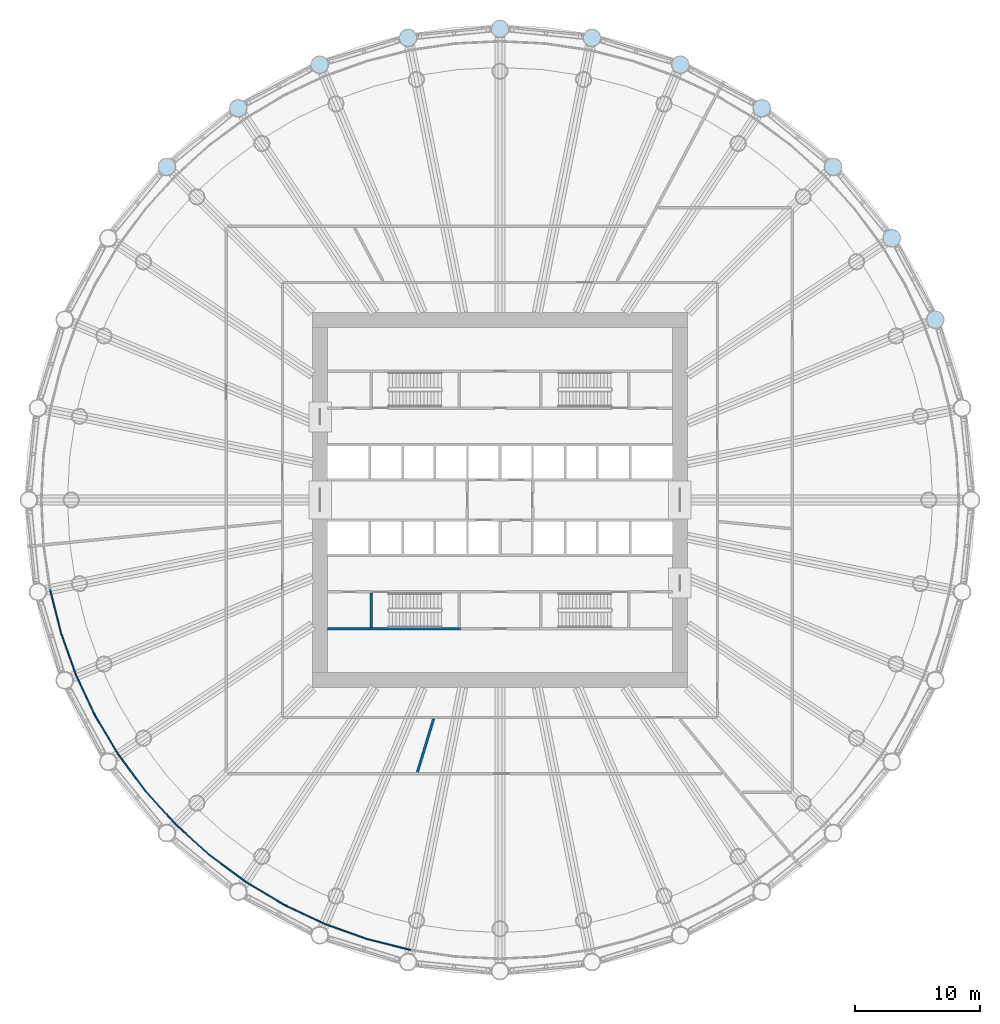
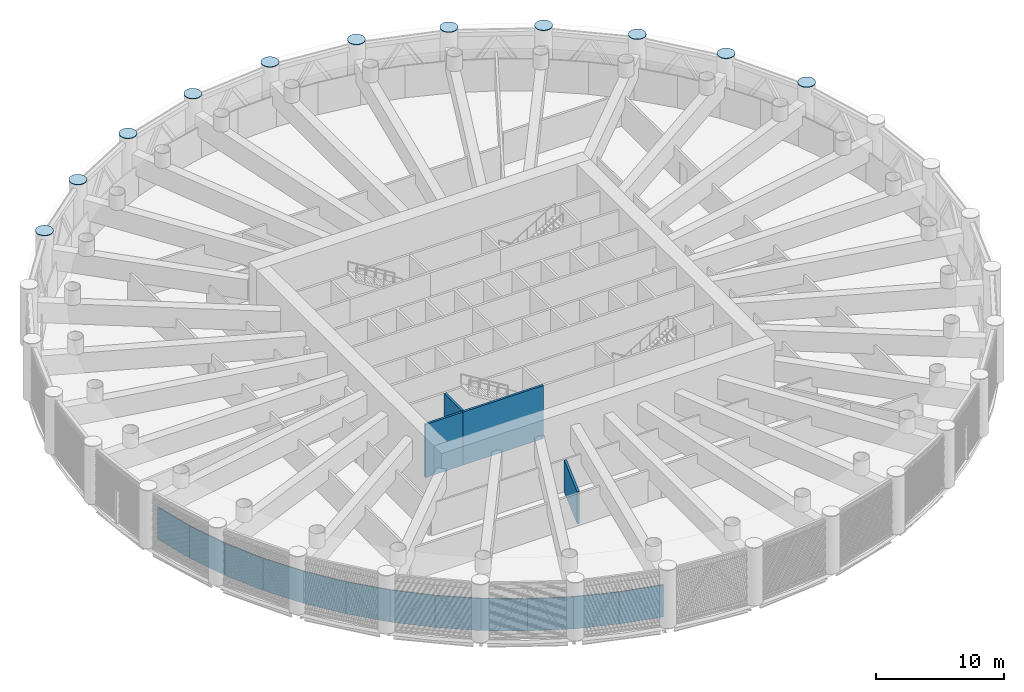
# One storey, part 7 of 26: 16 walls, 11 plates.
"""IFC4 building model written with IfcOpenShell, lengths in metres."""

from ifc_helpers import new_model, si_unit, direction, frame, frame_2d, origin, place, context, subcontext, project, spatial, polyline, rectangle, outline, extrude, material, layer, layer_set, type_object, element, save


model = new_model("IFC4")

# Units and contexts
model_context = context("Model", 3, precision=1e-05, world=origin(), true_north=direction((0.0, 1.0)))
body_context = subcontext(model_context, "Body", "Model", "MODEL_VIEW")
ifc_project = project(units=[si_unit("LENGTHUNIT", "METRE"), si_unit("AREAUNIT", "SQUARE_METRE"), si_unit("VOLUMEUNIT", "CUBIC_METRE"), si_unit("PLANEANGLEUNIT", "RADIAN"), si_unit("MASSUNIT", "GRAM", prefix="KILO")], contexts=[model_context])

# Site, building, storey
site_placement = place(None, origin())
site = spatial("IfcSite", under=ifc_project, at=site_placement, CompositionType="ELEMENT")
building_placement = place(site_placement, origin())
building = spatial("IfcBuilding", under=site, at=building_placement, Name="Corvane Civic Tower", CompositionType="ELEMENT")
storey_placement = place(building_placement, frame((0.0, 0.0, 85.0)))
storey = spatial("IfcBuildingStorey", under=building, at=storey_placement, Name="L19", CompositionType="ELEMENT", Elevation=85.0)

# Plates
ifc_material_1 = material(Name="Steel ASTM A572 Gr 50", Category="steel")
ifc_layer_1 = layer(ifc_material_1, 0.054931640625)
ifc_layer_set_1 = layer_set([ifc_layer_1], Name="Steel ASTM A572 Gr 50")
plate_type = type_object("IfcPlateType", Name="COLUMN CAP PLATE 55", PredefinedType="SHEET", material=ifc_layer_set_1)
plate_1_placement = place(storey_placement, frame((0.0, 0.0, 5.5)))
element("IfcPlate", 1, at=plate_1_placement, inside=storey, type_object=plate_type, Name="PL-L19-cap-A01", PredefinedType="SHEET", context=body_context, shape_type="SweptSolid", body=[
    extrude(outline(polyline([(0.699951171875, 37.699951171875), (0.694091796875, 37.791259765625), (0.676025390625, 37.881103515625), (0.646728515625, 37.9677734375), (0.606201171875, 38.050048828125), (0.555419921875, 38.126220703125), (0.4951171875, 38.19482421875), (0.426025390625, 38.25537109375), (0.35009765625, 38.30615234375), (0.267822265625, 38.3466796875), (0.18115234375, 38.376220703125), (0.09130859375, 38.39404296875), (0.0, 38.39990234375), (-0.09130859375, 38.39404296875), (-0.18115234375, 38.376220703125), (-0.267822265625, 38.3466796875), (-0.35009765625, 38.30615234375), (-0.426025390625, 38.25537109375), (-0.4951171875, 38.19482421875), (-0.555419921875, 38.126220703125), (-0.606201171875, 38.050048828125), (-0.646728515625, 37.9677734375), (-0.676025390625, 37.881103515625), (-0.694091796875, 37.791259765625), (-0.699951171875, 37.699951171875), (-0.694091796875, 37.608642578125), (-0.676025390625, 37.518798828125), (-0.646728515625, 37.43212890625), (-0.606201171875, 37.35009765625), (-0.555419921875, 37.273681640625), (-0.4951171875, 37.205078125), (-0.426025390625, 37.14453125), (-0.35009765625, 37.09375), (-0.267822265625, 37.05322265625), (-0.18115234375, 37.023681640625), (-0.09130859375, 37.005859375), (0.0, 37.0), (0.09130859375, 37.005859375), (0.18115234375, 37.023681640625), (0.267822265625, 37.05322265625), (0.35009765625, 37.09375), (0.426025390625, 37.14453125), (0.4951171875, 37.205078125), (0.555419921875, 37.273681640625), (0.606201171875, 37.35009765625), (0.646728515625, 37.43212890625), (0.676025390625, 37.518798828125), (0.694091796875, 37.608642578125), (0.699951171875, 37.699951171875)])), origin(), (0.0, 0.0, 1.0), 0.054931640625),
])
plate_2_placement = place(storey_placement, frame((0.0, 0.0, 5.5)))
element("IfcPlate", 2, at=plate_2_placement, inside=storey, type_object=plate_type, Name="PL-L19-cap-A02", PredefinedType="SHEET", context=body_context, shape_type="SweptSolid", body=[
    extrude(outline(polyline([(8.054931640625, 36.9755859375), (8.049072265625, 37.06689453125), (8.031005859375, 37.15673828125), (8.001708984375, 37.243408203125), (7.961181640625, 37.32568359375), (7.910400390625, 37.401611328125), (7.85009765625, 37.470703125), (7.781005859375, 37.531005859375), (7.705078125, 37.581787109375), (7.622802734375, 37.622314453125), (7.5361328125, 37.651611328125), (7.4462890625, 37.669677734375), (7.35498046875, 37.675537109375), (7.263671875, 37.669677734375), (7.173828125, 37.651611328125), (7.087158203125, 37.622314453125), (7.0048828125, 37.581787109375), (6.9287109375, 37.531005859375), (6.860107421875, 37.470703125), (6.799560546875, 37.401611328125), (6.748779296875, 37.32568359375), (6.708251953125, 37.243408203125), (6.6787109375, 37.15673828125), (6.660888671875, 37.06689453125), (6.655029296875, 36.9755859375), (6.660888671875, 36.88427734375), (6.6787109375, 36.79443359375), (6.708251953125, 36.707763671875), (6.748779296875, 36.62548828125), (6.799560546875, 36.549560546875), (6.860107421875, 36.480712890625), (6.9287109375, 36.420166015625), (7.0048828125, 36.369384765625), (7.087158203125, 36.328857421875), (7.173828125, 36.29931640625), (7.263671875, 36.281494140625), (7.35498046875, 36.275634765625), (7.4462890625, 36.281494140625), (7.5361328125, 36.29931640625), (7.622802734375, 36.328857421875), (7.705078125, 36.369384765625), (7.781005859375, 36.420166015625), (7.85009765625, 36.480712890625), (7.910400390625, 36.549560546875), (7.961181640625, 36.62548828125), (8.001708984375, 36.707763671875), (8.031005859375, 36.79443359375), (8.049072265625, 36.88427734375), (8.054931640625, 36.9755859375)])), origin(), (0.0, 0.0, 1.0), 0.054931640625),
])
plate_3_placement = place(storey_placement, frame((0.0, 0.0, 5.5)))
element("IfcPlate", 3, at=plate_3_placement, inside=storey, type_object=plate_type, Name="PL-L19-cap-A03", PredefinedType="SHEET", context=body_context, shape_type="SweptSolid", body=[
    extrude(outline(polyline([(15.127197265625, 34.830322265625), (15.121337890625, 34.921630859375), (15.103515625, 35.011474609375), (15.073974609375, 35.09814453125), (15.033447265625, 35.180419921875), (14.982666015625, 35.256591796875), (14.922119140625, 35.3251953125), (14.853515625, 35.3857421875), (14.777099609375, 35.4365234375), (14.695068359375, 35.47705078125), (14.6083984375, 35.506591796875), (14.5185546875, 35.5244140625), (14.42724609375, 35.5302734375), (14.3359375, 35.5244140625), (14.24609375, 35.506591796875), (14.159423828125, 35.47705078125), (14.0771484375, 35.4365234375), (14.001220703125, 35.3857421875), (13.932373046875, 35.3251953125), (13.871826171875, 35.256591796875), (13.821044921875, 35.180419921875), (13.780517578125, 35.09814453125), (13.751220703125, 35.011474609375), (13.733154296875, 34.921630859375), (13.727294921875, 34.830322265625), (13.733154296875, 34.739013671875), (13.751220703125, 34.649169921875), (13.780517578125, 34.5625), (13.821044921875, 34.480224609375), (13.871826171875, 34.404296875), (13.932373046875, 34.335205078125), (14.001220703125, 34.27490234375), (14.0771484375, 34.22412109375), (14.159423828125, 34.18359375), (14.24609375, 34.154296875), (14.3359375, 34.13623046875), (14.42724609375, 34.13037109375), (14.5185546875, 34.13623046875), (14.6083984375, 34.154296875), (14.695068359375, 34.18359375), (14.777099609375, 34.22412109375), (14.853515625, 34.27490234375), (14.922119140625, 34.335205078125), (14.982666015625, 34.404296875), (15.033447265625, 34.480224609375), (15.073974609375, 34.5625), (15.103515625, 34.649169921875), (15.121337890625, 34.739013671875), (15.127197265625, 34.830322265625)])), origin(), (0.0, 0.0, 1.0), 0.054931640625),
])
plate_4_placement = place(storey_placement, frame((0.0, 0.0, 5.5)))
element("IfcPlate", 4, at=plate_4_placement, inside=storey, type_object=plate_type, Name="PL-L19-cap-A04", PredefinedType="SHEET", context=body_context, shape_type="SweptSolid", body=[
    extrude(outline(polyline([(21.64501953125, 31.346435546875), (21.63916015625, 31.437744140625), (21.62109375, 31.527587890625), (21.591796875, 31.6142578125), (21.55126953125, 31.6962890625), (21.50048828125, 31.772705078125), (21.43994140625, 31.84130859375), (21.37109375, 31.90185546875), (21.295166015625, 31.95263671875), (21.212890625, 31.9931640625), (21.126220703125, 32.022705078125), (21.036376953125, 32.040283203125), (20.945068359375, 32.04638671875), (20.853759765625, 32.040283203125), (20.763916015625, 32.022705078125), (20.67724609375, 31.9931640625), (20.59521484375, 31.95263671875), (20.518798828125, 31.90185546875), (20.4501953125, 31.84130859375), (20.3896484375, 31.772705078125), (20.3388671875, 31.6962890625), (20.29833984375, 31.6142578125), (20.268798828125, 31.527587890625), (20.251220703125, 31.437744140625), (20.2451171875, 31.346435546875), (20.251220703125, 31.255126953125), (20.268798828125, 31.165283203125), (20.29833984375, 31.07861328125), (20.3388671875, 30.996337890625), (20.3896484375, 30.92041015625), (20.4501953125, 30.8515625), (20.518798828125, 30.791015625), (20.59521484375, 30.740234375), (20.67724609375, 30.69970703125), (20.763916015625, 30.67041015625), (20.853759765625, 30.65234375), (20.945068359375, 30.646484375), (21.036376953125, 30.65234375), (21.126220703125, 30.67041015625), (21.212890625, 30.69970703125), (21.295166015625, 30.740234375), (21.37109375, 30.791015625), (21.43994140625, 30.8515625), (21.50048828125, 30.92041015625), (21.55126953125, 30.996337890625), (21.591796875, 31.07861328125), (21.62109375, 31.165283203125), (21.63916015625, 31.255126953125), (21.64501953125, 31.346435546875)])), origin(), (0.0, 0.0, 1.0), 0.054931640625),
])
plate_5_placement = place(storey_placement, frame((0.0, 0.0, 5.5)))
element("IfcPlate", 5, at=plate_5_placement, inside=storey, type_object=plate_type, Name="PL-L19-cap-A05", PredefinedType="SHEET", context=body_context, shape_type="SweptSolid", body=[
    extrude(outline(polyline([(27.35791015625, 26.657958984375), (27.35205078125, 26.749267578125), (27.333984375, 26.839111328125), (27.3046875, 26.92578125), (27.26416015625, 27.008056640625), (27.21337890625, 27.083984375), (27.15283203125, 27.15283203125), (27.083984375, 27.21337890625), (27.008056640625, 27.26416015625), (26.92578125, 27.3046875), (26.839111328125, 27.333984375), (26.749267578125, 27.35205078125), (26.657958984375, 27.35791015625), (26.566650390625, 27.35205078125), (26.476806640625, 27.333984375), (26.39013671875, 27.3046875), (26.30810546875, 27.26416015625), (26.231689453125, 27.21337890625), (26.1630859375, 27.15283203125), (26.1025390625, 27.083984375), (26.0517578125, 27.008056640625), (26.01123046875, 26.92578125), (25.981689453125, 26.839111328125), (25.9638671875, 26.749267578125), (25.9580078125, 26.657958984375), (25.9638671875, 26.566650390625), (25.981689453125, 26.476806640625), (26.01123046875, 26.39013671875), (26.0517578125, 26.30810546875), (26.1025390625, 26.231689453125), (26.1630859375, 26.1630859375), (26.231689453125, 26.1025390625), (26.30810546875, 26.0517578125), (26.39013671875, 26.01123046875), (26.476806640625, 25.981689453125), (26.566650390625, 25.9638671875), (26.657958984375, 25.9580078125), (26.749267578125, 25.9638671875), (26.839111328125, 25.981689453125), (26.92578125, 26.01123046875), (27.008056640625, 26.0517578125), (27.083984375, 26.1025390625), (27.15283203125, 26.1630859375), (27.21337890625, 26.231689453125), (27.26416015625, 26.30810546875), (27.3046875, 26.39013671875), (27.333984375, 26.476806640625), (27.35205078125, 26.566650390625), (27.35791015625, 26.657958984375)])), origin(), (0.0, 0.0, 1.0), 0.054931640625),
])
plate_6_placement = place(storey_placement, frame((0.0, 0.0, 5.5)))
element("IfcPlate", 6, at=plate_6_placement, inside=storey, type_object=plate_type, Name="PL-L19-cap-A06", PredefinedType="SHEET", context=body_context, shape_type="SweptSolid", body=[
    extrude(outline(polyline([(32.04638671875, 20.945068359375), (32.040283203125, 21.036376953125), (32.022705078125, 21.126220703125), (31.9931640625, 21.212890625), (31.95263671875, 21.295166015625), (31.90185546875, 21.37109375), (31.84130859375, 21.43994140625), (31.772705078125, 21.50048828125), (31.6962890625, 21.55126953125), (31.6142578125, 21.591796875), (31.527587890625, 21.62109375), (31.437744140625, 21.63916015625), (31.346435546875, 21.64501953125), (31.255126953125, 21.63916015625), (31.165283203125, 21.62109375), (31.07861328125, 21.591796875), (30.996337890625, 21.55126953125), (30.92041015625, 21.50048828125), (30.8515625, 21.43994140625), (30.791015625, 21.37109375), (30.740234375, 21.295166015625), (30.69970703125, 21.212890625), (30.67041015625, 21.126220703125), (30.65234375, 21.036376953125), (30.646484375, 20.945068359375), (30.65234375, 20.853759765625), (30.67041015625, 20.763916015625), (30.69970703125, 20.67724609375), (30.740234375, 20.59521484375), (30.791015625, 20.518798828125), (30.8515625, 20.4501953125), (30.92041015625, 20.3896484375), (30.996337890625, 20.3388671875), (31.07861328125, 20.29833984375), (31.165283203125, 20.268798828125), (31.255126953125, 20.251220703125), (31.346435546875, 20.2451171875), (31.437744140625, 20.251220703125), (31.527587890625, 20.268798828125), (31.6142578125, 20.29833984375), (31.6962890625, 20.3388671875), (31.772705078125, 20.3896484375), (31.84130859375, 20.4501953125), (31.90185546875, 20.518798828125), (31.95263671875, 20.59521484375), (31.9931640625, 20.67724609375), (32.022705078125, 20.763916015625), (32.040283203125, 20.853759765625), (32.04638671875, 20.945068359375)])), origin(), (0.0, 0.0, 1.0), 0.054931640625),
])
plate_7_placement = place(storey_placement, frame((0.0, 0.0, 5.5)))
element("IfcPlate", 7, at=plate_7_placement, inside=storey, type_object=plate_type, Name="PL-L19-cap-A07", PredefinedType="SHEET", context=body_context, shape_type="SweptSolid", body=[
    extrude(outline(polyline([(35.5302734375, 14.42724609375), (35.5244140625, 14.5185546875), (35.506591796875, 14.6083984375), (35.47705078125, 14.695068359375), (35.4365234375, 14.777099609375), (35.3857421875, 14.853515625), (35.3251953125, 14.922119140625), (35.256591796875, 14.982666015625), (35.180419921875, 15.033447265625), (35.09814453125, 15.073974609375), (35.011474609375, 15.103515625), (34.921630859375, 15.121337890625), (34.830322265625, 15.127197265625), (34.739013671875, 15.121337890625), (34.649169921875, 15.103515625), (34.5625, 15.073974609375), (34.480224609375, 15.033447265625), (34.404296875, 14.982666015625), (34.335205078125, 14.922119140625), (34.27490234375, 14.853515625), (34.22412109375, 14.777099609375), (34.18359375, 14.695068359375), (34.154296875, 14.6083984375), (34.13623046875, 14.5185546875), (34.13037109375, 14.42724609375), (34.13623046875, 14.3359375), (34.154296875, 14.24609375), (34.18359375, 14.159423828125), (34.22412109375, 14.0771484375), (34.27490234375, 14.001220703125), (34.335205078125, 13.932373046875), (34.404296875, 13.871826171875), (34.480224609375, 13.821044921875), (34.5625, 13.780517578125), (34.649169921875, 13.751220703125), (34.739013671875, 13.733154296875), (34.830322265625, 13.727294921875), (34.921630859375, 13.733154296875), (35.011474609375, 13.751220703125), (35.09814453125, 13.780517578125), (35.180419921875, 13.821044921875), (35.256591796875, 13.871826171875), (35.3251953125, 13.932373046875), (35.3857421875, 14.001220703125), (35.4365234375, 14.0771484375), (35.47705078125, 14.159423828125), (35.506591796875, 14.24609375), (35.5244140625, 14.3359375), (35.5302734375, 14.42724609375)])), origin(), (0.0, 0.0, 1.0), 0.054931640625),
])
plate_8_placement = place(storey_placement, frame((0.0, 0.0, 5.5)))
element("IfcPlate", 8, at=plate_8_placement, inside=storey, type_object=plate_type, Name="PL-L19-cap-A29", PredefinedType="SHEET", context=body_context, shape_type="SweptSolid", body=[
    extrude(outline(polyline([(-25.9580078125, 26.657958984375), (-25.9638671875, 26.749267578125), (-25.981689453125, 26.839111328125), (-26.01123046875, 26.92578125), (-26.0517578125, 27.008056640625), (-26.1025390625, 27.083984375), (-26.1630859375, 27.15283203125), (-26.231689453125, 27.21337890625), (-26.30810546875, 27.26416015625), (-26.39013671875, 27.3046875), (-26.476806640625, 27.333984375), (-26.566650390625, 27.35205078125), (-26.657958984375, 27.35791015625), (-26.749267578125, 27.35205078125), (-26.839111328125, 27.333984375), (-26.92578125, 27.3046875), (-27.008056640625, 27.26416015625), (-27.083984375, 27.21337890625), (-27.15283203125, 27.15283203125), (-27.21337890625, 27.083984375), (-27.26416015625, 27.008056640625), (-27.3046875, 26.92578125), (-27.333984375, 26.839111328125), (-27.35205078125, 26.749267578125), (-27.35791015625, 26.657958984375), (-27.35205078125, 26.566650390625), (-27.333984375, 26.476806640625), (-27.3046875, 26.39013671875), (-27.26416015625, 26.30810546875), (-27.21337890625, 26.231689453125), (-27.15283203125, 26.1630859375), (-27.083984375, 26.1025390625), (-27.008056640625, 26.0517578125), (-26.92578125, 26.01123046875), (-26.839111328125, 25.981689453125), (-26.749267578125, 25.9638671875), (-26.657958984375, 25.9580078125), (-26.566650390625, 25.9638671875), (-26.476806640625, 25.981689453125), (-26.39013671875, 26.01123046875), (-26.30810546875, 26.0517578125), (-26.231689453125, 26.1025390625), (-26.1630859375, 26.1630859375), (-26.1025390625, 26.231689453125), (-26.0517578125, 26.30810546875), (-26.01123046875, 26.39013671875), (-25.981689453125, 26.476806640625), (-25.9638671875, 26.566650390625), (-25.9580078125, 26.657958984375)])), origin(), (0.0, 0.0, 1.0), 0.054931640625),
])
plate_9_placement = place(storey_placement, frame((0.0, 0.0, 5.5)))
element("IfcPlate", 9, at=plate_9_placement, inside=storey, type_object=plate_type, Name="PL-L19-cap-A30", PredefinedType="SHEET", context=body_context, shape_type="SweptSolid", body=[
    extrude(outline(polyline([(-20.2451171875, 31.346435546875), (-20.251220703125, 31.437744140625), (-20.268798828125, 31.527587890625), (-20.29833984375, 31.6142578125), (-20.3388671875, 31.6962890625), (-20.3896484375, 31.772705078125), (-20.4501953125, 31.84130859375), (-20.518798828125, 31.90185546875), (-20.59521484375, 31.95263671875), (-20.67724609375, 31.9931640625), (-20.763916015625, 32.022705078125), (-20.853759765625, 32.040283203125), (-20.945068359375, 32.04638671875), (-21.036376953125, 32.040283203125), (-21.126220703125, 32.022705078125), (-21.212890625, 31.9931640625), (-21.295166015625, 31.95263671875), (-21.37109375, 31.90185546875), (-21.43994140625, 31.84130859375), (-21.50048828125, 31.772705078125), (-21.55126953125, 31.6962890625), (-21.591796875, 31.6142578125), (-21.62109375, 31.527587890625), (-21.63916015625, 31.437744140625), (-21.64501953125, 31.346435546875), (-21.63916015625, 31.255126953125), (-21.62109375, 31.165283203125), (-21.591796875, 31.07861328125), (-21.55126953125, 30.996337890625), (-21.50048828125, 30.92041015625), (-21.43994140625, 30.8515625), (-21.37109375, 30.791015625), (-21.295166015625, 30.740234375), (-21.212890625, 30.69970703125), (-21.126220703125, 30.67041015625), (-21.036376953125, 30.65234375), (-20.945068359375, 30.646484375), (-20.853759765625, 30.65234375), (-20.763916015625, 30.67041015625), (-20.67724609375, 30.69970703125), (-20.59521484375, 30.740234375), (-20.518798828125, 30.791015625), (-20.4501953125, 30.8515625), (-20.3896484375, 30.92041015625), (-20.3388671875, 30.996337890625), (-20.29833984375, 31.07861328125), (-20.268798828125, 31.165283203125), (-20.251220703125, 31.255126953125), (-20.2451171875, 31.346435546875)])), origin(), (0.0, 0.0, 1.0), 0.054931640625),
])
plate_10_placement = place(storey_placement, frame((0.0, 0.0, 5.5)))
element("IfcPlate", 10, at=plate_10_placement, inside=storey, type_object=plate_type, Name="PL-L19-cap-A31", PredefinedType="SHEET", context=body_context, shape_type="SweptSolid", body=[
    extrude(outline(polyline([(-13.727294921875, 34.830322265625), (-13.733154296875, 34.921630859375), (-13.751220703125, 35.011474609375), (-13.780517578125, 35.09814453125), (-13.821044921875, 35.180419921875), (-13.871826171875, 35.256591796875), (-13.932373046875, 35.3251953125), (-14.001220703125, 35.3857421875), (-14.0771484375, 35.4365234375), (-14.159423828125, 35.47705078125), (-14.24609375, 35.506591796875), (-14.3359375, 35.5244140625), (-14.42724609375, 35.5302734375), (-14.5185546875, 35.5244140625), (-14.6083984375, 35.506591796875), (-14.695068359375, 35.47705078125), (-14.777099609375, 35.4365234375), (-14.853515625, 35.3857421875), (-14.922119140625, 35.3251953125), (-14.982666015625, 35.256591796875), (-15.033447265625, 35.180419921875), (-15.073974609375, 35.09814453125), (-15.103515625, 35.011474609375), (-15.121337890625, 34.921630859375), (-15.127197265625, 34.830322265625), (-15.121337890625, 34.739013671875), (-15.103515625, 34.649169921875), (-15.073974609375, 34.5625), (-15.033447265625, 34.480224609375), (-14.982666015625, 34.404296875), (-14.922119140625, 34.335205078125), (-14.853515625, 34.27490234375), (-14.777099609375, 34.22412109375), (-14.695068359375, 34.18359375), (-14.6083984375, 34.154296875), (-14.5185546875, 34.13623046875), (-14.42724609375, 34.13037109375), (-14.3359375, 34.13623046875), (-14.24609375, 34.154296875), (-14.159423828125, 34.18359375), (-14.0771484375, 34.22412109375), (-14.001220703125, 34.27490234375), (-13.932373046875, 34.335205078125), (-13.871826171875, 34.404296875), (-13.821044921875, 34.480224609375), (-13.780517578125, 34.5625), (-13.751220703125, 34.649169921875), (-13.733154296875, 34.739013671875), (-13.727294921875, 34.830322265625)])), origin(), (0.0, 0.0, 1.0), 0.054931640625),
])
plate_11_placement = place(storey_placement, frame((0.0, 0.0, 5.5)))
element("IfcPlate", 11, at=plate_11_placement, inside=storey, type_object=plate_type, Name="PL-L19-cap-A32", PredefinedType="SHEET", context=body_context, shape_type="SweptSolid", body=[
    extrude(outline(polyline([(-6.655029296875, 36.9755859375), (-6.660888671875, 37.06689453125), (-6.6787109375, 37.15673828125), (-6.708251953125, 37.243408203125), (-6.748779296875, 37.32568359375), (-6.799560546875, 37.401611328125), (-6.860107421875, 37.470703125), (-6.9287109375, 37.531005859375), (-7.0048828125, 37.581787109375), (-7.087158203125, 37.622314453125), (-7.173828125, 37.651611328125), (-7.263671875, 37.669677734375), (-7.35498046875, 37.675537109375), (-7.4462890625, 37.669677734375), (-7.5361328125, 37.651611328125), (-7.622802734375, 37.622314453125), (-7.705078125, 37.581787109375), (-7.781005859375, 37.531005859375), (-7.85009765625, 37.470703125), (-7.910400390625, 37.401611328125), (-7.961181640625, 37.32568359375), (-8.001708984375, 37.243408203125), (-8.031005859375, 37.15673828125), (-8.049072265625, 37.06689453125), (-8.054931640625, 36.9755859375), (-8.049072265625, 36.88427734375), (-8.031005859375, 36.79443359375), (-8.001708984375, 36.707763671875), (-7.961181640625, 36.62548828125), (-7.910400390625, 36.549560546875), (-7.85009765625, 36.480712890625), (-7.781005859375, 36.420166015625), (-7.705078125, 36.369384765625), (-7.622802734375, 36.328857421875), (-7.5361328125, 36.29931640625), (-7.4462890625, 36.281494140625), (-7.35498046875, 36.275634765625), (-7.263671875, 36.281494140625), (-7.173828125, 36.29931640625), (-7.087158203125, 36.328857421875), (-7.0048828125, 36.369384765625), (-6.9287109375, 36.420166015625), (-6.860107421875, 36.480712890625), (-6.799560546875, 36.549560546875), (-6.748779296875, 36.62548828125), (-6.708251953125, 36.707763671875), (-6.6787109375, 36.79443359375), (-6.660888671875, 36.88427734375), (-6.655029296875, 36.9755859375)])), origin(), (0.0, 0.0, 1.0), 0.054931640625),
])

# Walls
ifc_material_2 = material(Name="Concrete C30/37", Category="concrete")
ifc_layer_2 = layer(ifc_material_2, 0.199951171875)
ifc_layer_set_2 = layer_set([ifc_layer_2], Name="Concrete C30/37")
wall_type_1 = type_object("IfcWallType", Name="CR-WALL-200", PredefinedType="PARTITIONING", material=ifc_layer_set_2)
wall_1_placement = place(storey_placement, origin())
element("IfcWall", 12, at=wall_1_placement, inside=storey, type_object=wall_type_1, Name="L19 core partition wall", PredefinedType="PARTITIONING", context=body_context, shape_type="SweptSolid", body=[
    extrude(outline(polyline([(-10.39990234375, -10.39990234375), (-13.800048828125, -10.39990234375), (-13.800048828125, -10.199951171875), (-10.39990234375, -10.199951171875), (-10.39990234375, -10.39990234375)])), origin(), (0.0, 0.0, 1.0), 5.050048828125),
])
ifc_material_3 = material(Name="Plasterboard")
ifc_layer_3 = layer(ifc_material_3, 0.10009765625)
ifc_layer_set_3 = layer_set([ifc_layer_3], Name="Plasterboard")
wall_type_2 = type_object("IfcWallType", Name="Partition 100 plasterboard on studs", PredefinedType="PARTITIONING", material=ifc_layer_set_3)
for number, where, z_axis, x_axis, name in (
    (13, (-35.99365234375, -7.15966796875, 0.0), (0.0, 0.0, 1.0), (0.243030067704, -0.970018755588, 0.0), "Partition L19.022"),
    (14, (-35.118408203125, -10.653076171875, 0.0), (0.0, 0.0, 1.0), (0.336855978405, -0.94155618516, 0.0), "Partition L19.024"),
    (15, (-33.9052734375, -14.0439453125, 0.0), (0.0, 0.0, 1.0), (0.427555908533, -0.903988907608, 0.0), "Partition L19.026"),
):
    element("IfcWall", number, at=place(storey_placement, frame(where, z_axis=z_axis, x_axis=x_axis)), inside=storey, type_object=wall_type_2, Name=name, PredefinedType="PARTITIONING", context=body_context, shape_type="SweptSolid", body=[
        extrude(rectangle(XDim=3.601318359375, YDim=0.10009765625, at=frame_2d((1.80078125, 0.0))), origin(), (0.0, 0.0, 1.0), 3.050048828125),
    ])
for number, where, z_axis, x_axis, name in (
    (16, (-32.365478515625, -17.299560546875, 0.0), (0.0, 0.0, 1.0), (0.514106916367, -0.857726109282, 0.0), "Partition L19.028"),
    (17, (-30.513916015625, -20.388671875, 0.0), (0.0, 0.0, 1.0), (0.595707293286, -0.803201606526, 0.0), "Partition L19.030"),
):
    element("IfcWall", number, at=place(storey_placement, frame(where, z_axis=z_axis, x_axis=x_axis)), inside=storey, type_object=wall_type_2, Name=name, PredefinedType="PARTITIONING", context=body_context, shape_type="SweptSolid", body=[
        extrude(rectangle(XDim=3.6015625, YDim=0.10009765625, at=frame_2d((1.80078125, 0.0))), origin(), (0.0, 0.0, 1.0), 3.050048828125),
    ])
for number, where, z_axis, x_axis, name in (
    (18, (-28.368408203125, -23.281494140625, 0.0), (0.0, 0.0, 1.0), (0.671545014359, -0.740963760038, 0.0), "Partition L19.032"),
    (19, (-25.949951171875, -25.949951171875, 0.0), (0.0, 0.0, 1.0), (0.740963760038, -0.671545014359, 0.0), "Partition L19.034"),
):
    element("IfcWall", number, at=place(storey_placement, frame(where, z_axis=z_axis, x_axis=x_axis)), inside=storey, type_object=wall_type_2, Name=name, PredefinedType="PARTITIONING", context=body_context, shape_type="SweptSolid", body=[
        extrude(rectangle(XDim=3.601318359375, YDim=0.10009765625, at=frame_2d((1.80078125, 0.0))), origin(), (0.0, 0.0, 1.0), 3.050048828125),
    ])
for number, where, z_axis, x_axis, name in (
    (20, (-23.281494140625, -28.368408203125, 0.0), (0.0, 0.0, 1.0), (0.803201606526, -0.595707293286, 0.0), "Partition L19.036"),
    (21, (-20.388671875, -30.513916015625, 0.0), (0.0, 0.0, 1.0), (0.857726109282, -0.514106916367, 0.0), "Partition L19.038"),
):
    element("IfcWall", number, at=place(storey_placement, frame(where, z_axis=z_axis, x_axis=x_axis)), inside=storey, type_object=wall_type_2, Name=name, PredefinedType="PARTITIONING", context=body_context, shape_type="SweptSolid", body=[
        extrude(rectangle(XDim=3.6015625, YDim=0.10009765625, at=frame_2d((1.80078125, 0.0))), origin(), (0.0, 0.0, 1.0), 3.050048828125),
    ])
for number, where, z_axis, x_axis, name in (
    (22, (-17.299560546875, -32.365478515625, 0.0), (0.0, 0.0, 1.0), (0.903988907608, -0.427555908533, 0.0), "Partition L19.041"),
    (23, (-14.0439453125, -33.9052734375, 0.0), (0.0, 0.0, 1.0), (0.94155618516, -0.336855978405, 0.0), "Partition L19.042"),
    (24, (-10.653076171875, -35.118408203125, 0.0), (0.0, 0.0, 1.0), (0.970018755588, -0.243030067704, 0.0), "Partition L19.044"),
):
    element("IfcWall", number, at=place(storey_placement, frame(where, z_axis=z_axis, x_axis=x_axis)), inside=storey, type_object=wall_type_2, Name=name, PredefinedType="PARTITIONING", context=body_context, shape_type="SweptSolid", body=[
        extrude(rectangle(XDim=3.601318359375, YDim=0.10009765625, at=frame_2d((1.80078125, 0.0))), origin(), (0.0, 0.0, 1.0), 3.050048828125),
    ])
ifc_material_4 = material(Name="Gypsum fibreboard")
ifc_layer_4 = layer(ifc_material_4, 0.199951171875)
ifc_layer_set_4 = layer_set([ifc_layer_4], Name="Gypsum fibreboard")
wall_type_3 = type_object("IfcWallType", Name="Plant and refuge wall 200 EI 120", PredefinedType="PARTITIONING", material=ifc_layer_set_4)
wall_2_placement = place(storey_placement, frame((-6.604248046875, -21.77099609375, 0.0), z_axis=(0.0, 0.0, 1.0), x_axis=(0.290290025105, 0.956938713463, 0.0)))
element("IfcWall", 25, at=wall_2_placement, inside=storey, type_object=wall_type_3, Name="Partition L19.006", PredefinedType="PARTITIONING", context=body_context, shape_type="SweptSolid", body=[
    extrude(rectangle(XDim=4.458984375, YDim=0.199951171875, at=frame_2d((2.2294921875, 0.0))), origin(), (0.0, 0.0, 1.0), 3.050048828125),
])
ifc_material_5 = material(Name="Concrete C50/60", Category="concrete")
ifc_layer_5 = layer(ifc_material_5, 0.199951171875)
ifc_layer_set_5 = layer_set([ifc_layer_5], Name="Concrete C50/60")
wall_type_4 = type_object("IfcWallType", Name="ST-WALL-200", PredefinedType="SHEAR", material=ifc_layer_set_5)
wall_3_placement = place(storey_placement, origin())
element("IfcWall", 26, at=wall_3_placement, inside=storey, type_object=wall_type_4, Name="L19 stair enclosure wall", PredefinedType="SHEAR", context=body_context, shape_type="SweptSolid", body=[
    extrude(outline(polyline([(-3.14990234375, -10.199951171875), (-3.14990234375, -10.39990234375), (-10.39990234375, -10.39990234375), (-10.39990234375, -10.199951171875), (-3.14990234375, -10.199951171875)])), origin(), (0.0, 0.0, 1.0), 5.050048828125),
])
wall_4_placement = place(storey_placement, origin())
element("IfcWall", 27, at=wall_4_placement, inside=storey, type_object=wall_type_4, Name="L19 stair enclosure wall", PredefinedType="SHEAR", context=body_context, shape_type="SweptSolid", body=[
    extrude(outline(polyline([(-10.199951171875, -7.449951171875), (-10.199951171875, -10.199951171875), (-10.39990234375, -10.199951171875), (-10.39990234375, -7.449951171875), (-10.199951171875, -7.449951171875)])), origin(), (0.0, 0.0, 1.0), 5.050048828125),
])

save(model, "model.ifc")
